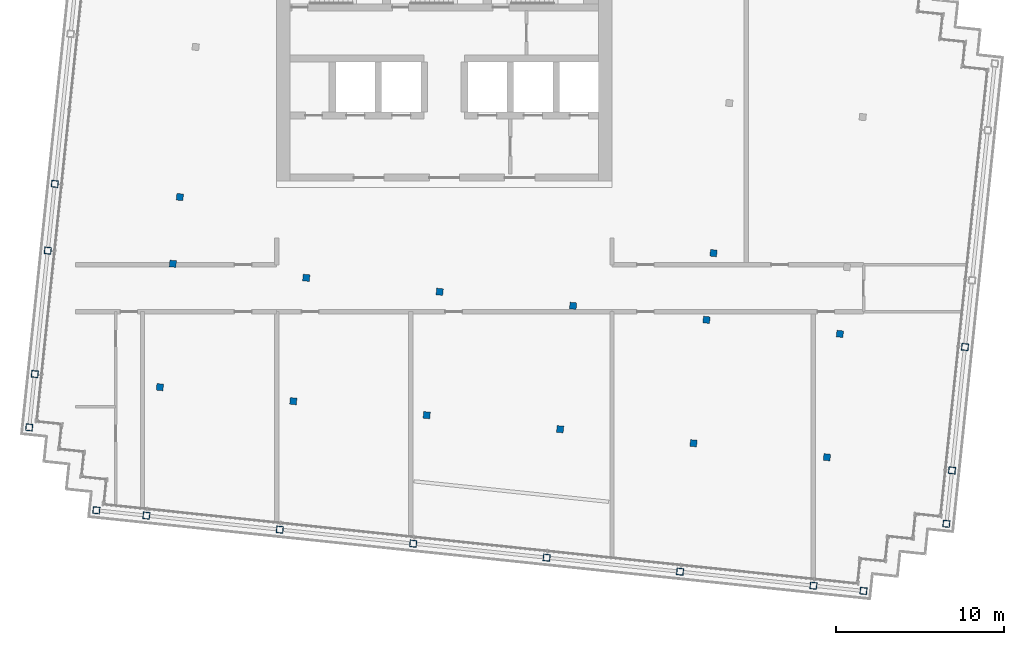
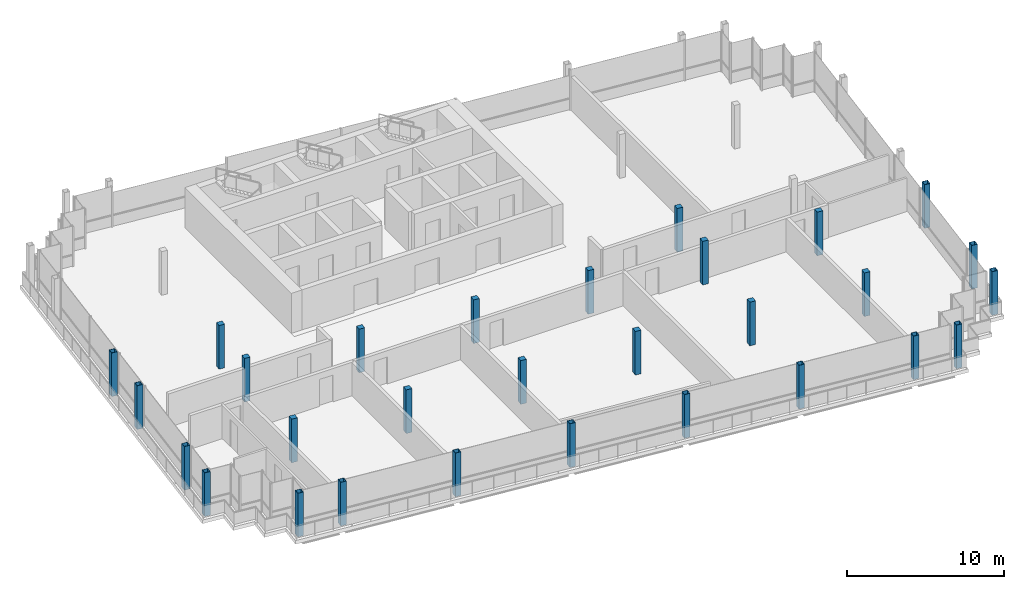
# One storey, part 1 of 15: 29 columns.
"""IFC4 building model written with IfcOpenShell, lengths in metres."""

import ifcopenshell
import ifcopenshell.guid

model = None  # the IFC model being written
_history = None  # IfcOwnerHistory: only IFC2X3 demands one
_inside = {}  # id of a spatial element -> (the spatial element, [elements in it])
_under = {}  # id of a project, library or spatial element -> (it, [spatial elements below it])
_declared = {}  # id of a project -> (the project, [libraries it declares])
_typed = {}  # id of a type object -> (the type object, [elements of that type])
_made_of = {}  # id of a material, layer set ... -> (it, [elements and type objects made of it])


def new_model(schema):
    """Start an empty IFC model of exactly this schema.

    Asked for "IFC4X3", IfcOpenShell would pick the latest addendum, in which some entities
    have other attributes; the version numbers below select the first issue.
    IFC2X3 requires an IfcOwnerHistory on every rooted entity: one is made here for all.
    """
    global model, _history
    if schema == "IFC4X3":
        model = ifcopenshell.file(schema_version=(4, 3, 0, 0))
    else:
        model = ifcopenshell.file(schema=schema)
    _inside.clear()
    _under.clear()
    _declared.clear()
    _typed.clear()
    _made_of.clear()
    _history = None
    if model.schema == "IFC2X3":
        org = make("IfcOrganization", Name="unknown")
        user = make(
            "IfcPersonAndOrganization",
            ThePerson=make("IfcPerson", FamilyName="unknown"),
            TheOrganization=org,
        )
        app = make(
            "IfcApplication",
            ApplicationDeveloper=org,
            Version="unknown",
            ApplicationFullName="unknown",
            ApplicationIdentifier="unknown",
        )
        _history = make(
            "IfcOwnerHistory",
            OwningUser=user,
            OwningApplication=app,
            ChangeAction="ADDED",
            CreationDate=0,
        )
    return model


def make(cls, **values):
    """One entity of the class cls with the attributes given. An attribute that is None is left unset."""
    return model.create_entity(
        cls, **{name: value for name, value in values.items() if value is not None}
    )


def rooted(cls, **values):
    """An entity with a GlobalId (a new one), such as an element, a storey or a relation."""
    return make(cls, GlobalId=ifcopenshell.guid.new(), OwnerHistory=_history, **values)


def si_unit(unit_type, name, prefix=None):
    """IfcSIUnit, for example si_unit("LENGTHUNIT", "METRE", prefix="MILLI")."""
    return make("IfcSIUnit", UnitType=unit_type, Prefix=prefix, Name=name)


def assignment(units):
    """IfcUnitAssignment: the units of a project."""
    return None if units is None else make("IfcUnitAssignment", Units=units)


def point(xyz):
    """IfcCartesianPoint."""
    return None if xyz is None else make("IfcCartesianPoint", Coordinates=xyz)


def direction(xyz):
    """IfcDirection."""
    return None if xyz is None else make("IfcDirection", DirectionRatios=xyz)


def frame(location, z_axis=None, x_axis=None):
    """IfcAxis2Placement3D, a coordinate frame: its origin and axes. An axis left out is left unset."""
    return make(
        "IfcAxis2Placement3D",
        Location=point(location),
        Axis=direction(z_axis),
        RefDirection=direction(x_axis),
    )


def frame_2d(location, x_axis=None):
    """IfcAxis2Placement2D, a coordinate frame in the plane: its origin and x axis."""
    return make(
        "IfcAxis2Placement2D", Location=point(location), RefDirection=direction(x_axis)
    )


def origin():
    """The frame at (0, 0, 0) with its axes left unset."""
    return frame((0.0, 0.0, 0.0))


def origin_2d():
    """The frame at (0, 0) in the plane with its x axis left unset."""
    return frame_2d((0.0, 0.0))


def place(relative_to, where):
    """IfcLocalPlacement: puts the frame where relative to a parent placement (None: the world)."""
    return make(
        "IfcLocalPlacement", PlacementRelTo=relative_to, RelativePlacement=where
    )


def context(
    kind, dimensions, precision=None, world=None, true_north=None, identifier=None
):
    """IfcGeometricRepresentationContext, for example the 3D "Model" context."""
    return make(
        "IfcGeometricRepresentationContext",
        ContextIdentifier=identifier,
        ContextType=kind,
        CoordinateSpaceDimension=dimensions,
        Precision=precision,
        WorldCoordinateSystem=world,
        TrueNorth=true_north,
    )


def subcontext(parent, identifier, kind, view, scale=None):
    """IfcGeometricRepresentationSubContext, for example "Body" below "Model"."""
    return make(
        "IfcGeometricRepresentationSubContext",
        ContextIdentifier=identifier,
        ContextType=kind,
        ParentContext=parent,
        TargetScale=scale,
        TargetView=view,
    )


def project(units=None, contexts=None):
    """IfcProject with its units and contexts."""
    return rooted(
        "IfcProject",
        Name="project",
        RepresentationContexts=contexts,
        UnitsInContext=assignment(units),
    )


def spatial(cls, under=None, at=None, **own):
    """A site, building, storey or space (cls), placed at a placement, below another one or the project."""
    s = rooted(cls, ObjectPlacement=at, **own)
    if under is not None:
        _under.setdefault(under.id(), (under, []))[1].append(s)
    return s


def profile(cls, at=None, kind="AREA", **sizes):
    """A parametric profile (cls). Its sizes go by their IFC names, for example OverallWidth=200.0."""
    return make(cls, ProfileType=kind, Position=at, **sizes)


def rectangle(**sizes):
    """IfcRectangleProfileDef."""
    return profile("IfcRectangleProfileDef", **sizes)


def hollow_rectangle(**sizes):
    """IfcRectangleHollowProfileDef."""
    return profile("IfcRectangleHollowProfileDef", **sizes)


def extrude(swept, where, along, depth):
    """IfcExtrudedAreaSolid: the profile swept, set in the frame where, extruded along a direction by depth."""
    return make(
        "IfcExtrudedAreaSolid",
        SweptArea=swept,
        Position=where,
        ExtrudedDirection=direction(along),
        Depth=depth,
    )


def shape(context_of_items, identifier, shape_type, items):
    """IfcShapeRepresentation: the items that make up one representation, for example the "Body"."""
    return make(
        "IfcShapeRepresentation",
        ContextOfItems=context_of_items,
        RepresentationIdentifier=identifier,
        RepresentationType=shape_type,
        Items=items,
    )


def material(Name=None, Category=None):
    """IfcMaterial."""
    return make("IfcMaterial", Name=Name, Category=Category)


def material_profile(
    of_material, cross_section, Name=None, Category=None, Priority=None
):
    """IfcMaterialProfile: a cross section and its material."""
    return make(
        "IfcMaterialProfile",
        Name=Name,
        Material=of_material,
        Profile=cross_section,
        Priority=Priority,
        Category=Category,
    )


def profile_set(profiles, Name=None, composite=None):
    """IfcMaterialProfileSet."""
    return make(
        "IfcMaterialProfileSet",
        Name=Name,
        MaterialProfiles=profiles,
        CompositeProfile=composite,
    )


def made_of(thing, what):
    """Note that an element or type object is made of a material, layer set ...; save() writes the relation."""
    if what is not None:
        _made_of.setdefault(what.id(), (what, []))[1].append(thing)
    return thing


def type_object(cls, material=None, **own):
    """A type object (cls), such as IfcWallType, which elements share."""
    return made_of(rooted(cls, **own), material)


def element(
    cls,
    number,
    at=None,
    inside=None,
    cuts=None,
    type_object=None,
    material=None,
    context=None,
    identifier="Body",
    shape_type=None,
    held_by="IfcProductDefinitionShape",
    body=None,
    shapes=None,
    **own,
):
    """One element of the class cls, such as IfcWall. Its Tag is "e" and its number.

    at: its placement. inside: the storey or other place that contains it. cuts: it is an
    opening in that element (IfcRelVoidsElement). A single representation is given by context,
    identifier, shape_type and body (its items); several are given by shapes. held_by: the class
    of the entity that holds the representations. save() writes the other relations.
    """
    e = rooted(cls, Tag="e%d" % number, ObjectPlacement=at, **own)
    if body is not None:
        shapes = [shape(context, identifier, shape_type, body)]
    if shapes is not None:
        e.Representation = make(held_by, Representations=shapes)
    if inside is not None:
        _inside.setdefault(inside.id(), (inside, []))[1].append(e)
    if cuts is not None:
        rooted(
            "IfcRelVoidsElement", RelatingBuildingElement=cuts, RelatedOpeningElement=e
        )
    if type_object is not None:
        _typed.setdefault(type_object.id(), (type_object, []))[1].append(e)
    return made_of(e, material)


def aggregate(whole, parts):
    """IfcRelAggregates: a whole, such as a stair, and the parts it consists of."""
    return rooted("IfcRelAggregates", RelatingObject=whole, RelatedObjects=parts)


def save(model, path):
    """Write the relations noted so far, then the file.

    IfcRelAggregates (storeys below a building ...), IfcRelContainedInSpatialStructure (elements
    in a storey), IfcRelDefinesByType, IfcRelAssociatesMaterial and IfcRelDeclares: one each for
    every whole, place, type object, material and project.
    """
    for whole, parts in _under.values():
        aggregate(whole, parts)
    for where, things in _inside.values():
        rooted(
            "IfcRelContainedInSpatialStructure",
            RelatedElements=things,
            RelatingStructure=where,
        )
    for kind, things in _typed.values():
        rooted("IfcRelDefinesByType", RelatedObjects=things, RelatingType=kind)
    for what, things in _made_of.values():
        rooted("IfcRelAssociatesMaterial", RelatedObjects=things, RelatingMaterial=what)
    for by, libraries in _declared.values():
        rooted("IfcRelDeclares", RelatingContext=by, RelatedDefinitions=libraries)
    model.write(path)


model = new_model("IFC4")

# Units and contexts
model_context = context("Model", 3, precision=1e-05, world=origin(), true_north=direction((0.0, 1.0)))
body_context = subcontext(model_context, "Body", "Model", "MODEL_VIEW")
ifc_project = project(units=[si_unit("LENGTHUNIT", "METRE"), si_unit("AREAUNIT", "SQUARE_METRE"), si_unit("VOLUMEUNIT", "CUBIC_METRE"), si_unit("PLANEANGLEUNIT", "RADIAN"), si_unit("MASSUNIT", "GRAM", prefix="KILO")], contexts=[model_context])

# Site, building, storey
site_placement = place(None, origin())
site = spatial("IfcSite", under=ifc_project, at=site_placement, CompositionType="ELEMENT")
building_placement = place(site_placement, origin())
building = spatial("IfcBuilding", under=site, at=building_placement, Name="Vidyagriha Tower", CompositionType="ELEMENT")
storey_placement = place(building_placement, frame((0.0, 0.0, 294.89990234375)))
storey = spatial("IfcBuildingStorey", under=building, at=storey_placement, Name="L76", CompositionType="ELEMENT", Elevation=294.89990234375)

# Columns
ifc_material_1 = material(Name="Steel ASTM A572 Grade 50", Category="steel")
ifc_material_profile_1 = material_profile(ifc_material_1, hollow_rectangle(XDim=0.39990234375, YDim=0.39990234375, WallThickness=0.02001953125, at=origin_2d()), Name="BOX 400x400x20")
ifc_profile_set_1 = profile_set([ifc_material_profile_1], Name="Steel ASTM A572 Grade 50")
column_type_1 = type_object("IfcColumnType", Name="Exoskeleton column BOX 400x400x20", PredefinedType="COLUMN", material=ifc_profile_set_1)
for number, where, z_axis, x_axis, name in (
    (1, (-20.751953125, -13.24267578125, 0.0), (0.0, 0.0, 1.0), (0.994521895368, -0.104528463268, 0.0), "st-col-L76-B6-001"),
    (2, (-17.768310546875, -13.55615234375, 0.0), (0.0, 0.0, 1.0), (0.994521895368, -0.104528463268, 0.0), "st-col-L76-B6-002"),
    (3, (-9.812255859375, -14.392333984375, 0.0), (0.0, 0.0, 1.0), (0.994521895368, -0.104528463268, 0.0), "st-col-L76-B6-003"),
    (4, (-1.856201171875, -15.228515625, 0.0), (0.0, 0.0, 1.0), (0.994521895368, -0.104528463268, 0.0), "st-col-L76-B6-004"),
    (5, (6.10009765625, -16.06494140625, 0.0), (0.0, 0.0, 1.0), (0.994521895368, -0.104528463268, 0.0), "st-col-L76-B6-005"),
    (6, (14.056396484375, -16.901123046875, 0.0), (0.0, 0.0, 1.0), (0.994521895368, -0.104528463268, 0.0), "st-col-L76-B6-006"),
    (7, (22.012451171875, -17.7373046875, 0.0), (0.0, 0.0, 1.0), (0.994521895368, -0.104528463268, 0.0), "st-col-L76-B6-007"),
    (8, (24.99609375, -18.05078125, 0.0), (0.0, 0.0, 1.0), (0.994521895368, -0.104528463268, 0.0), "st-col-L76-B6-008"),
    (9, (-24.757080078125, -8.296875, 0.0), (0.0, 0.0, 1.0), (0.994521895368, -0.104528463268, 0.0), "st-col-L76-B6-009"),
    (10, (29.941650390625, -14.0458984375, 0.0), (0.0, 0.0, 1.0), (0.994521895368, -0.104528463268, 0.0), "st-col-L76-B6-010"),
    (11, (-24.422607421875, -5.114501953125, 0.0), (0.0, 0.0, 1.0), (0.994521895368, -0.104528463268, 0.0), "st-col-L76-B6-011"),
    (12, (30.276123046875, -10.863525390625, 0.0), (0.0, 0.0, 1.0), (0.994521895368, -0.104528463268, 0.0), "st-col-L76-B6-018"),
    (13, (-23.64892578125, 2.2451171875, 0.0), (0.0, 0.0, 1.0), (0.994521895368, -0.104528463268, 0.0), "st-col-L76-B6-019"),
    (14, (31.0498046875, -3.50390625, 0.0), (0.0, 0.0, 1.0), (0.994521895368, -0.104528463268, 0.0), "st-col-L76-B6-026"),
    (15, (-23.23095703125, 6.22314453125, 0.0), (0.0, 0.0, 1.0), (0.994521895368, -0.104528463268, 0.0), "st-col-L76-B6-027"),
):
    element("IfcColumn", number, at=place(storey_placement, frame(where, z_axis=z_axis, x_axis=x_axis)), inside=storey, type_object=column_type_1, Name=name, PredefinedType="COLUMN", context=body_context, shape_type="SweptSolid", body=[
        extrude(hollow_rectangle(XDim=0.39990234375, YDim=0.39990234375, WallThickness=0.02001953125, at=origin_2d()), origin(), (0.0, 0.0, 1.0), 3.400146484375),
    ])
ifc_material_2 = material(Name="Concrete C60/75", Category="concrete")
ifc_material_profile_2 = material_profile(ifc_material_2, rectangle(XDim=0.39990234375, YDim=0.39990234375, at=origin_2d()), Name="RC 400x400")
ifc_profile_set_2 = profile_set([ifc_material_profile_2], Name="Concrete C60/75")
column_type_2 = type_object("IfcColumnType", Name="Frame column RC 400x400", PredefinedType="COLUMN", material=ifc_profile_set_2)
for number, where, z_axis, x_axis, name in (
    (16, (-16.963623046875, -5.8984375, 0.0), (0.0, 0.0, 1.0), (0.994521895368, -0.104528463268, 0.0), "st-col-L76-B6-012"),
    (17, (-9.00732421875, -6.734619140625, 0.0), (0.0, 0.0, 1.0), (0.994521895368, -0.104528463268, 0.0), "st-col-L76-B6-013"),
    (18, (-1.05126953125, -7.57080078125, 0.0), (0.0, 0.0, 1.0), (0.994521895368, -0.104528463268, 0.0), "st-col-L76-B6-014"),
    (19, (6.905029296875, -8.406982421875, 0.0), (0.0, 0.0, 1.0), (0.994521895368, -0.104528463268, 0.0), "st-col-L76-B6-015"),
    (20, (14.861083984375, -9.243408203125, 0.0), (0.0, 0.0, 1.0), (0.994521895368, -0.104528463268, 0.0), "st-col-L76-B6-016"),
    (21, (22.8173828125, -10.07958984375, 0.0), (0.0, 0.0, 1.0), (0.994521895368, -0.104528463268, 0.0), "st-col-L76-B6-017"),
    (22, (-16.190185546875, 1.461181640625, 0.0), (0.0, 0.0, 1.0), (0.994521895368, -0.104528463268, 0.0), "st-col-L76-B6-020"),
    (23, (-8.23388671875, 0.625, 0.0), (0.0, 0.0, 1.0), (0.994521895368, -0.104528463268, 0.0), "st-col-L76-B6-021"),
    (24, (-0.277587890625, -0.21142578125, 0.0), (0.0, 0.0, 1.0), (0.994521895368, -0.104528463268, 0.0), "st-col-L76-B6-022"),
    (25, (7.678466796875, -1.047607421875, 0.0), (0.0, 0.0, 1.0), (0.994521895368, -0.104528463268, 0.0), "st-col-L76-B6-023"),
    (26, (15.634521484375, -1.8837890625, 0.0), (0.0, 0.0, 1.0), (0.994521895368, -0.104528463268, 0.0), "st-col-L76-B6-024"),
    (27, (23.5908203125, -2.72021484375, 0.0), (0.0, 0.0, 1.0), (0.994521895368, -0.104528463268, 0.0), "st-col-L76-B6-025"),
    (28, (-15.77197265625, 5.439208984375, 0.0), (0.0, 0.0, 1.0), (0.994521895368, -0.104528463268, 0.0), "st-col-L76-B6-028"),
    (29, (16.052734375, 2.09423828125, 0.0), (0.0, 0.0, 1.0), (0.994521895368, -0.104528463268, 0.0), "st-col-L76-B6-029"),
):
    element("IfcColumn", number, at=place(storey_placement, frame(where, z_axis=z_axis, x_axis=x_axis)), inside=storey, type_object=column_type_2, Name=name, PredefinedType="COLUMN", context=body_context, shape_type="SweptSolid", body=[
        extrude(rectangle(XDim=0.39990234375, YDim=0.39990234375, at=origin_2d()), origin(), (0.0, 0.0, 1.0), 3.400146484375),
    ])

save(model, "model.ifc")
